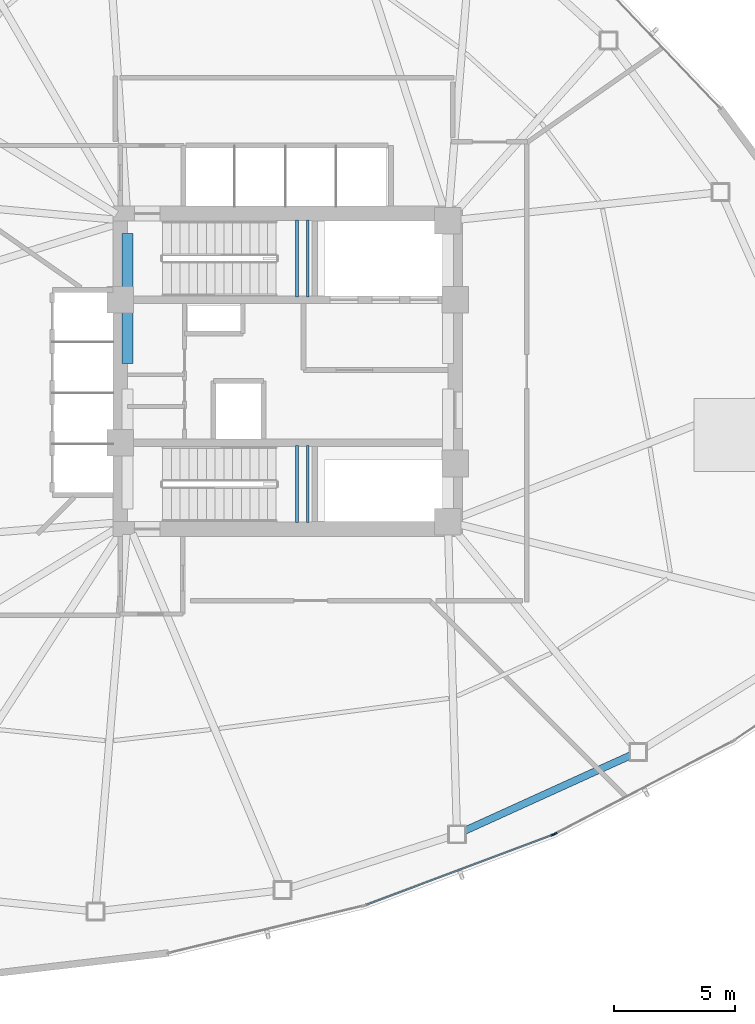
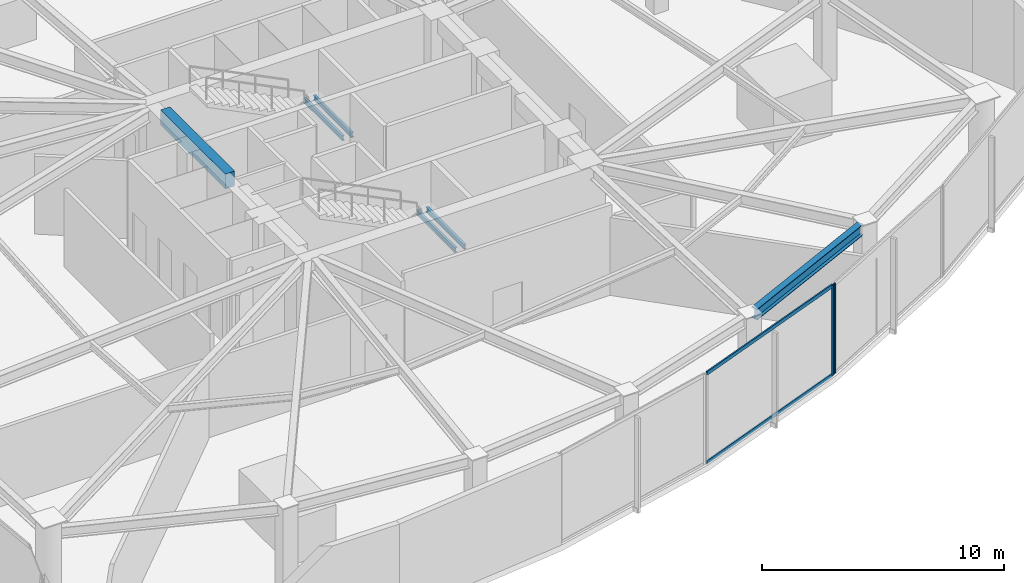
# One storey, part 5 of 16: 6 beams, 4 members, 2 elements without a shape of their own.
"""IFC4 building model written with IfcOpenShell, lengths in metres."""

from ifc_helpers import new_model, si_unit, direction, frame, origin, origin_2d, place, context, subcontext, project, spatial, rectangle, hollow_rectangle, i_section, extrude, source, transform, mapped, material, layer, layer_set, material_profile, profile_set, type_object, type_shapes, element, aggregate, save


model = new_model("IFC4")

# Units and contexts
model_context = context("Model", 3, precision=1e-05, world=origin(), true_north=direction((0.0, 1.0)))
body_context = subcontext(model_context, "Body", "Model", "MODEL_VIEW")
ifc_project = project(units=[si_unit("LENGTHUNIT", "METRE"), si_unit("AREAUNIT", "SQUARE_METRE"), si_unit("VOLUMEUNIT", "CUBIC_METRE"), si_unit("PLANEANGLEUNIT", "RADIAN"), si_unit("MASSUNIT", "GRAM", prefix="KILO")], contexts=[model_context])

# Site, building, storey
site_placement = place(None, origin())
site = spatial("IfcSite", under=ifc_project, at=site_placement, CompositionType="ELEMENT")
building_placement = place(site_placement, origin())
building = spatial("IfcBuilding", under=site, at=building_placement, Name="Tavelor Broadcast Tower", CompositionType="ELEMENT")
storey_placement = place(building_placement, frame((0.0, 0.0, 97.800048828125)))
storey = spatial("IfcBuildingStorey", under=building, at=storey_placement, Name="L23", CompositionType="ELEMENT", Elevation=97.800048828125)

# Beams
ifc_material_1 = material(Name="Concrete C40/50", Category="concrete")
ifc_material_profile_1 = material_profile(ifc_material_1, rectangle(XDim=0.449951171875, YDim=0.75, at=origin_2d()), Name="RC 450x750")
ifc_profile_set_1 = profile_set([ifc_material_profile_1], Name="Concrete C40/50")
beam_type_1 = type_object("IfcBeamType", Name="Basement Core Trim Beam 450x750", PredefinedType="BEAM", material=ifc_profile_set_1)
beam_1_placement = place(storey_placement, frame((43.39990234375, 45.327880859375, 4.175048828125), z_axis=(0.0, 1.0, 0.0), x_axis=(-1.0, 0.0, 0.0)))
element("IfcBeam", 1, at=beam_1_placement, inside=storey, type_object=beam_type_1, Name="L23 Core West-N Tie Girder", PredefinedType="BEAM", context=body_context, shape_type="SweptSolid", body=[
    extrude(rectangle(XDim=0.449951171875, YDim=0.75, at=origin_2d()), origin(), (0.0, 0.0, 1.0), 5.34423828125),
])
ifc_material_2 = material(Name="Steel S355", Category="steel")
ifc_material_profile_2 = material_profile(ifc_material_2, i_section(OverallWidth=0.300048828125, OverallDepth=0.550048828125, WebThickness=0.014892578125, FlangeThickness=0.029052734375, at=origin_2d()), Name="HEB 550")
ifc_profile_set_2 = profile_set([ifc_material_profile_2], Name="Steel S355")
beam_type_2 = type_object("IfcBeamType", Name="Perimeter Spandrel Beam T2 HEB 550", PredefinedType="SPANDREL", material=ifc_profile_set_2)
beam_2_placement = place(storey_placement, frame((57.28125, 26.060546875, 4.27490234375), z_axis=(0.910420869291, 0.413683261395, 0.0), x_axis=(-0.413683261395, 0.910420869291, 0.0)))
element("IfcBeam", 2, at=beam_2_placement, inside=storey, type_object=beam_type_2, Name="L23 Framed-Tube Ring Spandrel 11", PredefinedType="SPANDREL", context=body_context, shape_type="SweptSolid", body=[
    extrude(i_section(OverallWidth=0.300048828125, OverallDepth=0.550048828125, WebThickness=0.014892578125, FlangeThickness=0.029052734375, at=origin_2d()), origin(), (0.0, 0.0, 1.0), 7.531005859375),
])
ifc_material_profile_3 = material_profile(ifc_material_2, i_section(OverallWidth=0.1201171875, OverallDepth=0.239990234375, WebThickness=0.006103515625, FlangeThickness=0.009765625, at=origin_2d()), Name="IPE 240")
ifc_profile_set_3 = profile_set([ifc_material_profile_3], Name="Steel S355")
beam_type_3 = type_object("IfcBeamType", Name="Stairwell Landing Support Trimmer Beam IPE240", PredefinedType="BEAM", material=ifc_profile_set_3)
for number, where, z_axis, x_axis, name in (
    (3, (50.385009765625, 48.06005859375, 2.18505859375), (0.0, 1.0, 0.0), (-1.0, 0.0, 0.0), "L23 Stair Landing Support Beam 71"),
    (4, (50.824951171875, 48.06005859375, 2.18505859375), (0.0, 1.0, 0.0), (-1.0, 0.0, 0.0), "L23 Stair Landing Support Beam 72"),
    (5, (50.385009765625, 38.760009765625, 2.18505859375), (0.0, 1.0, 0.0), (-1.0, 0.0, 0.0), "L23 Stair Landing Support Beam 285"),
    (6, (50.824951171875, 38.760009765625, 2.18505859375), (0.0, 1.0, 0.0), (-1.0, 0.0, 0.0), "L23 Stair Landing Support Beam 286"),
):
    element("IfcBeam", number, at=place(storey_placement, frame(where, z_axis=z_axis, x_axis=x_axis)), inside=storey, type_object=beam_type_3, Name=name, PredefinedType="BEAM", context=body_context, shape_type="SweptSolid", body=[
        extrude(i_section(OverallWidth=0.1201171875, OverallDepth=0.239990234375, WebThickness=0.006103515625, FlangeThickness=0.009765625, at=origin_2d()), origin(), (0.0, 0.0, 1.0), 3.179931640625),
    ])

# Curtain wall, member
ifc_material_3 = material(Name="Architectural Anodized Aluminium", Category="aluminium")
ifc_layer = layer(ifc_material_3, 0.179931640625)
ifc_layer_set = layer_set([ifc_layer], Name="Architectural Anodized Aluminium")
curtain_wall_type = type_object("IfcCurtainWallType", Name="Tower Low-Zone Unitised Curtain Wall CW02", PredefinedType="NOTDEFINED", material=ifc_layer_set)
curtain_wall_1_placement = place(storey_placement, origin())
curtain_wall_1 = element("IfcCurtainWall", 7, at=curtain_wall_1_placement, inside=storey, type_object=curtain_wall_type, Name="L23 Curtain Wall CW02 Run 234", PredefinedType="NOTDEFINED")
ifc_material_profile_4 = material_profile(ifc_material_3, hollow_rectangle(XDim=0.06494140625, YDim=0.179931640625, WallThickness=0.02197265625, at=origin_2d()), Name="RHS 65x180x22")
ifc_profile_set_4 = profile_set([ifc_material_profile_4], Name="Architectural Anodized Aluminium")
member_type_1 = type_object("IfcMemberType", Name="CW02 Extruded Aluminium Mullion 65x180", PredefinedType="MULLION", material=ifc_profile_set_4)
shared_shape_1 = source(origin(), body_context, "Body", "SweptSolid", [
    extrude(hollow_rectangle(XDim=0.06494140625, YDim=0.179931640625, WallThickness=0.02197265625, at=origin_2d()), origin(), (0.0, 0.0, 1.0), 4.550048828125),
])
type_shapes(member_type_1, [shared_shape_1])
member_1_placement = place(storey_placement, frame((60.926025390625, 25.8984375, 0.0), z_axis=(0.0, 0.0, 1.0), x_axis=(-0.351442943235, 0.936209302266, 0.0)))
member_1 = element("IfcMember", 8, at=member_1_placement, type_object=member_type_1, Name="CW02 mullion 2", PredefinedType="MULLION", context=body_context, shape_type="MappedRepresentation", body=[
    mapped(shared_shape_1, transform((0.0, 0.0, 0.0), scale=1.0)),
])

curtain_wall_2_placement = place(storey_placement, origin())
curtain_wall_2 = element("IfcCurtainWall", 9, at=curtain_wall_2_placement, inside=storey, type_object=curtain_wall_type, Name="L23 Curtain Wall CW02 Run 235", PredefinedType="NOTDEFINED")
member_2_placement = place(storey_placement, frame((61.0126953125, 25.93701171875, 0.0), z_axis=(0.0, 0.0, 1.0), x_axis=(-0.462138560964, 0.886807730272, 0.0)))
member_2 = element("IfcMember", 10, at=member_2_placement, type_object=member_type_1, Name="CW02 mullion 1", PredefinedType="MULLION", context=body_context, shape_type="MappedRepresentation", body=[
    mapped(shared_shape_1, transform((0.0, 0.0, 0.0), scale=1.0)),
])
aggregate(curtain_wall_2, [member_2])

# Member
ifc_material_profile_5 = material_profile(ifc_material_3, hollow_rectangle(XDim=0.06494140625, YDim=0.179931640625, WallThickness=0.02197265625, at=origin_2d()), Name="RHS 65x180x22")
ifc_profile_set_5 = profile_set([ifc_material_profile_5], Name="Architectural Anodized Aluminium")
member_type_2 = type_object("IfcMemberType", Name="CW02 Extruded Aluminium Transom 65x180", PredefinedType="USERDEFINED", material=ifc_profile_set_5)
shared_shape_2 = source(origin(), body_context, "Body", "SweptSolid", [
    extrude(hollow_rectangle(XDim=0.06494140625, YDim=0.179931640625, WallThickness=0.02197265625, at=origin_2d()), origin(), (0.0, 0.0, 1.0), 8.170166015625),
])
type_shapes(member_type_2, [shared_shape_2])
member_3_placement = place(storey_placement, frame((53.246826171875, 23.015625, 0.032470703125), z_axis=(0.936208775151, 0.351444347416, 0.0), x_axis=(-0.351444347416, 0.936208775151, 0.0)))
member_3 = element("IfcMember", 11, at=member_3_placement, type_object=member_type_2, Name="CW02 transom 1.1", ObjectType="TRANSOM", PredefinedType="USERDEFINED", context=body_context, shape_type="MappedRepresentation", body=[
    mapped(shared_shape_2, transform((0.0, 0.0, 0.0), scale=1.0)),
])

member_4_placement = place(storey_placement, frame((53.246826171875, 23.015625, 4.517333984375), z_axis=(0.936208775151, 0.351444347416, 0.0), x_axis=(-0.351444347416, 0.936208775151, 0.0)))
member_4 = element("IfcMember", 12, at=member_4_placement, type_object=member_type_2, Name="CW02 transom 1.2", ObjectType="TRANSOM", PredefinedType="USERDEFINED", context=body_context, shape_type="MappedRepresentation", body=[
    mapped(shared_shape_2, transform((0.0, 0.0, 0.0), scale=1.0)),
])

aggregate(curtain_wall_1, [member_1, member_3, member_4])

save(model, "model.ifc")
